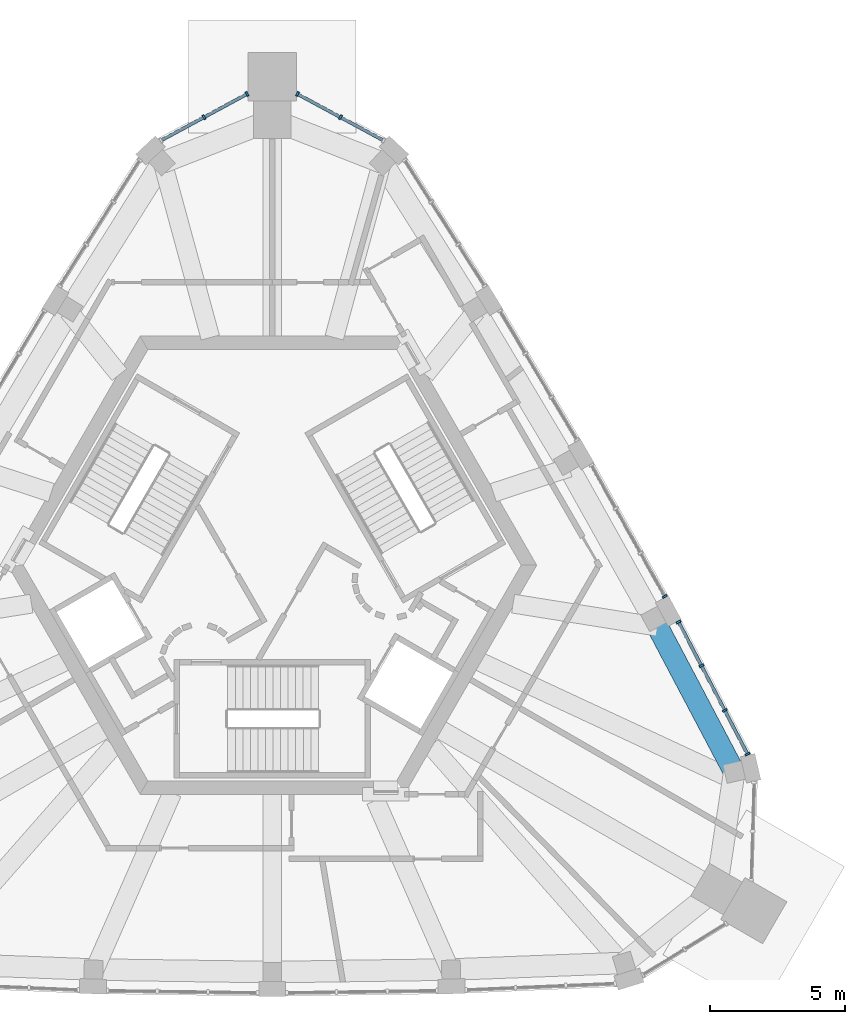
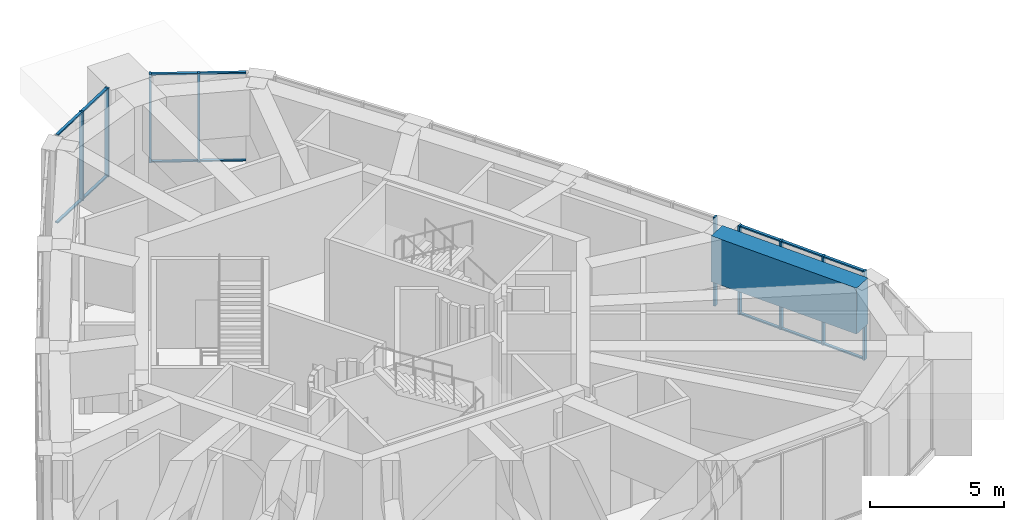
# One storey, part 5 of 11: 23 members, 1 beam, 4 elements without a shape of their own.
"""IFC4 building model written with IfcOpenShell, lengths in metres."""

from ifc_helpers import new_model, si_unit, direction, frame, origin, origin_2d, place, context, subcontext, project, spatial, rectangle, extrude, material, material_profile, profile_set, type_object, element, aggregate, save


model = new_model("IFC4")

# Units and contexts
model_context = context("Model", 3, precision=1e-05, world=origin(), true_north=direction((0.0, 1.0)))
body_context = subcontext(model_context, "Body", "Model", "MODEL_VIEW")
ifc_project = project(units=[si_unit("LENGTHUNIT", "METRE"), si_unit("AREAUNIT", "SQUARE_METRE"), si_unit("VOLUMEUNIT", "CUBIC_METRE"), si_unit("PLANEANGLEUNIT", "RADIAN"), si_unit("MASSUNIT", "GRAM", prefix="KILO")], contexts=[model_context])

# Site, building, storey
site_placement = place(None, origin())
site = spatial("IfcSite", under=ifc_project, at=site_placement, CompositionType="ELEMENT")
building_placement = place(site_placement, origin())
building = spatial("IfcBuilding", under=site, at=building_placement, Name="Entoto Arch Interchange Tower", CompositionType="ELEMENT")
storey_placement = place(building_placement, frame((0.0, 0.0, 353.89990234375)))
storey = spatial("IfcBuildingStorey", under=building, at=storey_placement, Name="L83", CompositionType="ELEMENT", Elevation=353.89990234375)

# Beam
ifc_material_1 = material(Name="Concrete C40/50", Category="concrete")
ifc_material_profile_1 = material_profile(ifc_material_1, rectangle(XDim=0.800048828125, YDim=2.10009765625, at=origin_2d()))
ifc_profile_set_1 = profile_set([ifc_material_profile_1], Name="Concrete C40/50")
beam_type = type_object("IfcBeamType", Name="Crown ring girder RC 800x2100 C40/50", PredefinedType="BEAM", material=ifc_profile_set_1)
beam_placement = place(storey_placement, frame((17.14697265625, -5.176025390625, 3.0), z_axis=(-0.46673302102, 0.884398262713, 0.0), x_axis=(-0.884398262713, -0.46673302102, 0.0)))
element("IfcBeam", 1, at=beam_placement, inside=storey, type_object=beam_type, Name="Crown ring girder 07 L83", PredefinedType="BEAM", context=body_context, shape_type="SweptSolid", body=[
    extrude(rectangle(XDim=0.800048828125, YDim=2.10009765625, at=origin_2d()), origin(), (0.0, 0.0, 1.0), 6.423583984375),
])

# Curtain wall, members
ifc_material_2 = material(Name="Aluminium, anodised", Category="aluminium")
curtain_wall_type = type_object("IfcCurtainWallType", Name="CURTAIN WALL CROWN LANTERN", PredefinedType="NOTDEFINED", material=ifc_material_2)
curtain_wall_1_placement = place(storey_placement, origin())
curtain_wall_1 = element("IfcCurtainWall", 2, at=curtain_wall_1_placement, inside=storey, type_object=curtain_wall_type, Name="Crown Lantern glazing NE-01 L83", PredefinedType="NOTDEFINED")
ifc_material_profile_2 = material_profile(ifc_material_2, rectangle(XDim=0.179931640625, YDim=0.080078125, at=origin_2d()))
ifc_profile_set_2 = profile_set([ifc_material_profile_2], Name="Aluminium, anodised")
member_type_1 = type_object("IfcMemberType", Name="MULLION CROWN LANTERN 80x180", PredefinedType="MULLION", material=ifc_profile_set_2)
member_1_placement = place(storey_placement, frame((17.6416015625, -4.510498046875, 0.0), z_axis=(0.0, 0.0, 1.0), x_axis=(-0.886489549186, -0.462748613378, 0.0)))
member_1 = element("IfcMember", 3, at=member_1_placement, type_object=member_type_1, Name="CWL mullion 1", PredefinedType="MULLION", context=body_context, shape_type="SweptSolid", body=[
    extrude(rectangle(XDim=0.179931640625, YDim=0.080078125, at=origin_2d()), origin(), (0.0, 0.0, 1.0), 4.050048828125),
])
member_2_placement = place(storey_placement, frame((16.7939453125, -2.886962890625, 0.0), z_axis=(0.0, 0.0, 1.0), x_axis=(-0.886489549186, -0.462748613378, 0.0)))
member_2 = element("IfcMember", 4, at=member_2_placement, type_object=member_type_1, Name="CWL mullion 2", PredefinedType="MULLION", context=body_context, shape_type="SweptSolid", body=[
    extrude(rectangle(XDim=0.179931640625, YDim=0.080078125, at=origin_2d()), origin(), (0.0, 0.0, 1.0), 4.050048828125),
])
member_3_placement = place(storey_placement, frame((15.927978515625, -1.22802734375, 0.0), z_axis=(0.0, 0.0, 1.0), x_axis=(-0.886489549186, -0.462748613378, 0.0)))
member_3 = element("IfcMember", 5, at=member_3_placement, type_object=member_type_1, Name="CWL mullion 3", PredefinedType="MULLION", context=body_context, shape_type="SweptSolid", body=[
    extrude(rectangle(XDim=0.179931640625, YDim=0.080078125, at=origin_2d()), origin(), (0.0, 0.0, 1.0), 4.050048828125),
])
member_4_placement = place(storey_placement, frame((15.08056640625, 0.3955078125, 0.0), z_axis=(0.0, 0.0, 1.0), x_axis=(-0.886489549186, -0.462748613378, 0.0)))
member_4 = element("IfcMember", 6, at=member_4_placement, type_object=member_type_1, Name="CWL mullion 4", PredefinedType="MULLION", context=body_context, shape_type="SweptSolid", body=[
    extrude(rectangle(XDim=0.179931640625, YDim=0.080078125, at=origin_2d()), origin(), (0.0, 0.0, 1.0), 4.050048828125),
])

# Curtain wall, member
curtain_wall_2_placement = place(storey_placement, origin())
curtain_wall_2 = element("IfcCurtainWall", 7, at=curtain_wall_2_placement, inside=storey, type_object=curtain_wall_type, Name="Crown Lantern glazing NE-02 L83", PredefinedType="NOTDEFINED")
member_5_placement = place(storey_placement, frame((14.568603515625, 1.343994140625, 0.0), z_axis=(0.0, 0.0, 1.0), x_axis=(-0.872963388875, -0.487785733375, 0.0)))
member_5 = element("IfcMember", 8, at=member_5_placement, type_object=member_type_1, Name="CWL mullion 1", PredefinedType="MULLION", context=body_context, shape_type="SweptSolid", body=[
    extrude(rectangle(XDim=0.179931640625, YDim=0.080078125, at=origin_2d()), origin(), (0.0, 0.0, 1.0), 4.050048828125),
])
aggregate(curtain_wall_2, [member_5])

# Curtain wall, members
curtain_wall_3_placement = place(storey_placement, origin())
curtain_wall_3 = element("IfcCurtainWall", 9, at=curtain_wall_3_placement, inside=storey, type_object=curtain_wall_type, Name="Crown Lantern glazing N-01 L83", PredefinedType="NOTDEFINED")
member_6_placement = place(storey_placement, frame((2.530517578125, 19.1279296875, 0.0), z_axis=(0.0, 0.0, 1.0), x_axis=(-0.475144739105, -0.879907652484, 0.0)))
member_6 = element("IfcMember", 10, at=member_6_placement, type_object=member_type_1, Name="CWL mullion 2", PredefinedType="MULLION", context=body_context, shape_type="SweptSolid", body=[
    extrude(rectangle(XDim=0.179931640625, YDim=0.080078125, at=origin_2d()), origin(), (0.0, 0.0, 1.0), 4.050048828125),
])
member_7_placement = place(storey_placement, frame((0.93408203125, 19.989990234375, 0.0), z_axis=(0.0, 0.0, 1.0), x_axis=(-0.475144739105, -0.879907652484, 0.0)))
member_7 = element("IfcMember", 11, at=member_7_placement, type_object=member_type_1, Name="CWL mullion 3", PredefinedType="MULLION", context=body_context, shape_type="SweptSolid", body=[
    extrude(rectangle(XDim=0.179931640625, YDim=0.080078125, at=origin_2d()), origin(), (0.0, 0.0, 1.0), 4.050048828125),
])

curtain_wall_4_placement = place(storey_placement, origin())
curtain_wall_4 = element("IfcCurtainWall", 12, at=curtain_wall_4_placement, inside=storey, type_object=curtain_wall_type, Name="Crown Lantern glazing N-02 L83", PredefinedType="NOTDEFINED")
member_8_placement = place(storey_placement, frame((-0.93408203125, 19.989990234375, 0.0), z_axis=(0.0, 0.0, 1.0), x_axis=(0.475144739105, -0.879907652484, 0.0)))
member_8 = element("IfcMember", 13, at=member_8_placement, type_object=member_type_1, Name="CWL mullion 1", PredefinedType="MULLION", context=body_context, shape_type="SweptSolid", body=[
    extrude(rectangle(XDim=0.179931640625, YDim=0.080078125, at=origin_2d()), origin(), (0.0, 0.0, 1.0), 4.050048828125),
])
member_9_placement = place(storey_placement, frame((-2.530517578125, 19.1279296875, 0.0), z_axis=(0.0, 0.0, 1.0), x_axis=(0.475144739105, -0.879907652484, 0.0)))
member_9 = element("IfcMember", 14, at=member_9_placement, type_object=member_type_1, Name="CWL mullion 2", PredefinedType="MULLION", context=body_context, shape_type="SweptSolid", body=[
    extrude(rectangle(XDim=0.179931640625, YDim=0.080078125, at=origin_2d()), origin(), (0.0, 0.0, 1.0), 4.050048828125),
])

# Member
ifc_material_profile_3 = material_profile(ifc_material_2, rectangle(XDim=0.1201171875, YDim=0.06005859375, at=origin_2d()))
ifc_profile_set_3 = profile_set([ifc_material_profile_3], Name="Aluminium, anodised")
member_type_2 = type_object("IfcMemberType", Name="TRANSOM CROWN LANTERN 60x120", PredefinedType="USERDEFINED", material=ifc_profile_set_3)
member_10_placement = place(storey_placement, frame((17.623046875, -4.47509765625, 0.030029296875), z_axis=(-0.462756536486, 0.886485413269, 0.0), x_axis=(-0.886485413269, -0.462756536486, 0.0)))
member_10 = element("IfcMember", 15, at=member_10_placement, type_object=member_type_2, Name="CWL transom 1.1", ObjectType="TRANSOM", PredefinedType="USERDEFINED", context=body_context, shape_type="SweptSolid", body=[
    extrude(rectangle(XDim=0.1201171875, YDim=0.06005859375, at=origin_2d()), origin(), (0.0, 0.0, 1.0), 1.75146484375),
])

member_11_placement = place(storey_placement, frame((17.623046875, -4.47509765625, 4.02001953125), z_axis=(-0.462756536486, 0.886485413269, 0.0), x_axis=(-0.886485413269, -0.462756536486, 0.0)))
member_11 = element("IfcMember", 16, at=member_11_placement, type_object=member_type_2, Name="CWL transom 1.2", ObjectType="TRANSOM", PredefinedType="USERDEFINED", context=body_context, shape_type="SweptSolid", body=[
    extrude(rectangle(XDim=0.1201171875, YDim=0.06005859375, at=origin_2d()), origin(), (0.0, 0.0, 1.0), 1.75146484375),
])

member_12_placement = place(storey_placement, frame((16.775390625, -2.8515625, 0.030029296875), z_axis=(-0.46268244105, 0.886524088079, 0.0), x_axis=(-0.886524088079, -0.46268244105, 0.0)))
member_12 = element("IfcMember", 17, at=member_12_placement, type_object=member_type_2, Name="CWL transom 2.1", ObjectType="TRANSOM", PredefinedType="USERDEFINED", context=body_context, shape_type="SweptSolid", body=[
    extrude(rectangle(XDim=0.1201171875, YDim=0.06005859375, at=origin_2d()), origin(), (0.0, 0.0, 1.0), 1.79150390625),
])

member_13_placement = place(storey_placement, frame((16.775390625, -2.8515625, 4.02001953125), z_axis=(-0.46268244105, 0.886524088079, 0.0), x_axis=(-0.886524088079, -0.46268244105, 0.0)))
member_13 = element("IfcMember", 18, at=member_13_placement, type_object=member_type_2, Name="CWL transom 2.2", ObjectType="TRANSOM", PredefinedType="USERDEFINED", context=body_context, shape_type="SweptSolid", body=[
    extrude(rectangle(XDim=0.1201171875, YDim=0.06005859375, at=origin_2d()), origin(), (0.0, 0.0, 1.0), 1.79150390625),
])

member_14_placement = place(storey_placement, frame((15.909423828125, -1.192626953125, 0.030029296875), z_axis=(-0.46264698969, 0.886542589463, 0.0), x_axis=(-0.886542589463, -0.46264698969, 0.0)))
member_14 = element("IfcMember", 19, at=member_14_placement, type_object=member_type_2, Name="CWL transom 3.1", ObjectType="TRANSOM", PredefinedType="USERDEFINED", context=body_context, shape_type="SweptSolid", body=[
    extrude(rectangle(XDim=0.1201171875, YDim=0.06005859375, at=origin_2d()), origin(), (0.0, 0.0, 1.0), 1.75146484375),
])

member_15_placement = place(storey_placement, frame((15.909423828125, -1.192626953125, 4.02001953125), z_axis=(-0.46264698969, 0.886542589463, 0.0), x_axis=(-0.886542589463, -0.46264698969, 0.0)))
member_15 = element("IfcMember", 20, at=member_15_placement, type_object=member_type_2, Name="CWL transom 3.2", ObjectType="TRANSOM", PredefinedType="USERDEFINED", context=body_context, shape_type="SweptSolid", body=[
    extrude(rectangle(XDim=0.1201171875, YDim=0.06005859375, at=origin_2d()), origin(), (0.0, 0.0, 1.0), 1.75146484375),
])

aggregate(curtain_wall_1, [member_1, member_2, member_3, member_4, member_10, member_11, member_12, member_13, member_14, member_15])

member_16_placement = place(storey_placement, frame((4.091552734375, 18.284912109375, 0.030029296875), z_axis=(-0.879905397657, 0.475148914735, 0.0), x_axis=(-0.475148914735, -0.879905397657, 0.0)))
member_16 = element("IfcMember", 21, at=member_16_placement, type_object=member_type_2, Name="CWL transom 1.1", ObjectType="TRANSOM", PredefinedType="USERDEFINED", context=body_context, shape_type="SweptSolid", body=[
    extrude(rectangle(XDim=0.1201171875, YDim=0.06005859375, at=origin_2d()), origin(), (0.0, 0.0, 1.0), 1.734130859375),
])

member_17_placement = place(storey_placement, frame((4.091552734375, 18.284912109375, 4.02001953125), z_axis=(-0.879905397657, 0.475148914735, 0.0), x_axis=(-0.475148914735, -0.879905397657, 0.0)))
member_17 = element("IfcMember", 22, at=member_17_placement, type_object=member_type_2, Name="CWL transom 1.2", ObjectType="TRANSOM", PredefinedType="USERDEFINED", context=body_context, shape_type="SweptSolid", body=[
    extrude(rectangle(XDim=0.1201171875, YDim=0.06005859375, at=origin_2d()), origin(), (0.0, 0.0, 1.0), 1.734130859375),
])

member_18_placement = place(storey_placement, frame((2.495361328125, 19.14697265625, 0.030029296875), z_axis=(-0.879905397657, 0.475148914735, 0.0), x_axis=(-0.475148914735, -0.879905397657, 0.0)))
member_18 = element("IfcMember", 23, at=member_18_placement, type_object=member_type_2, Name="CWL transom 2.1", ObjectType="TRANSOM", PredefinedType="USERDEFINED", context=body_context, shape_type="SweptSolid", body=[
    extrude(rectangle(XDim=0.1201171875, YDim=0.06005859375, at=origin_2d()), origin(), (0.0, 0.0, 1.0), 1.734130859375),
])

member_19_placement = place(storey_placement, frame((2.495361328125, 19.14697265625, 4.02001953125), z_axis=(-0.879905397657, 0.475148914735, 0.0), x_axis=(-0.475148914735, -0.879905397657, 0.0)))
member_19 = element("IfcMember", 24, at=member_19_placement, type_object=member_type_2, Name="CWL transom 2.2", ObjectType="TRANSOM", PredefinedType="USERDEFINED", context=body_context, shape_type="SweptSolid", body=[
    extrude(rectangle(XDim=0.1201171875, YDim=0.06005859375, at=origin_2d()), origin(), (0.0, 0.0, 1.0), 1.734130859375),
])

aggregate(curtain_wall_3, [member_6, member_7, member_16, member_17, member_18, member_19])

member_20_placement = place(storey_placement, frame((-0.969482421875, 19.970947265625, 0.030029296875), z_axis=(-0.879905397657, -0.475148914735, 0.0), x_axis=(0.475148914735, -0.879905397657, 0.0)))
member_20 = element("IfcMember", 25, at=member_20_placement, type_object=member_type_2, Name="CWL transom 1.1", ObjectType="TRANSOM", PredefinedType="USERDEFINED", context=body_context, shape_type="SweptSolid", body=[
    extrude(rectangle(XDim=0.1201171875, YDim=0.06005859375, at=origin_2d()), origin(), (0.0, 0.0, 1.0), 1.734130859375),
])

member_21_placement = place(storey_placement, frame((-0.969482421875, 19.970947265625, 4.02001953125), z_axis=(-0.879905397657, -0.475148914735, 0.0), x_axis=(0.475148914735, -0.879905397657, 0.0)))
member_21 = element("IfcMember", 26, at=member_21_placement, type_object=member_type_2, Name="CWL transom 1.2", ObjectType="TRANSOM", PredefinedType="USERDEFINED", context=body_context, shape_type="SweptSolid", body=[
    extrude(rectangle(XDim=0.1201171875, YDim=0.06005859375, at=origin_2d()), origin(), (0.0, 0.0, 1.0), 1.734130859375),
])

member_22_placement = place(storey_placement, frame((-2.565673828125, 19.10888671875, 0.030029296875), z_axis=(-0.879905397657, -0.475148914735, 0.0), x_axis=(0.475148914735, -0.879905397657, 0.0)))
member_22 = element("IfcMember", 27, at=member_22_placement, type_object=member_type_2, Name="CWL transom 2.1", ObjectType="TRANSOM", PredefinedType="USERDEFINED", context=body_context, shape_type="SweptSolid", body=[
    extrude(rectangle(XDim=0.1201171875, YDim=0.06005859375, at=origin_2d()), origin(), (0.0, 0.0, 1.0), 1.734130859375),
])

member_23_placement = place(storey_placement, frame((-2.565673828125, 19.10888671875, 4.02001953125), z_axis=(-0.879905397657, -0.475148914735, 0.0), x_axis=(0.475148914735, -0.879905397657, 0.0)))
member_23 = element("IfcMember", 28, at=member_23_placement, type_object=member_type_2, Name="CWL transom 2.2", ObjectType="TRANSOM", PredefinedType="USERDEFINED", context=body_context, shape_type="SweptSolid", body=[
    extrude(rectangle(XDim=0.1201171875, YDim=0.06005859375, at=origin_2d()), origin(), (0.0, 0.0, 1.0), 1.734130859375),
])

aggregate(curtain_wall_4, [member_8, member_9, member_20, member_21, member_22, member_23])

save(model, "model.ifc")
